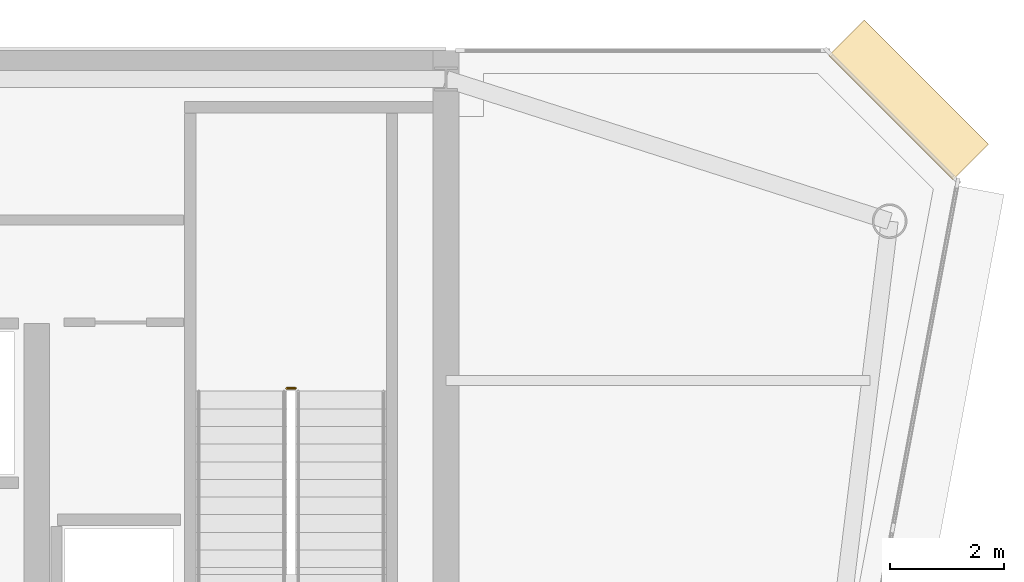
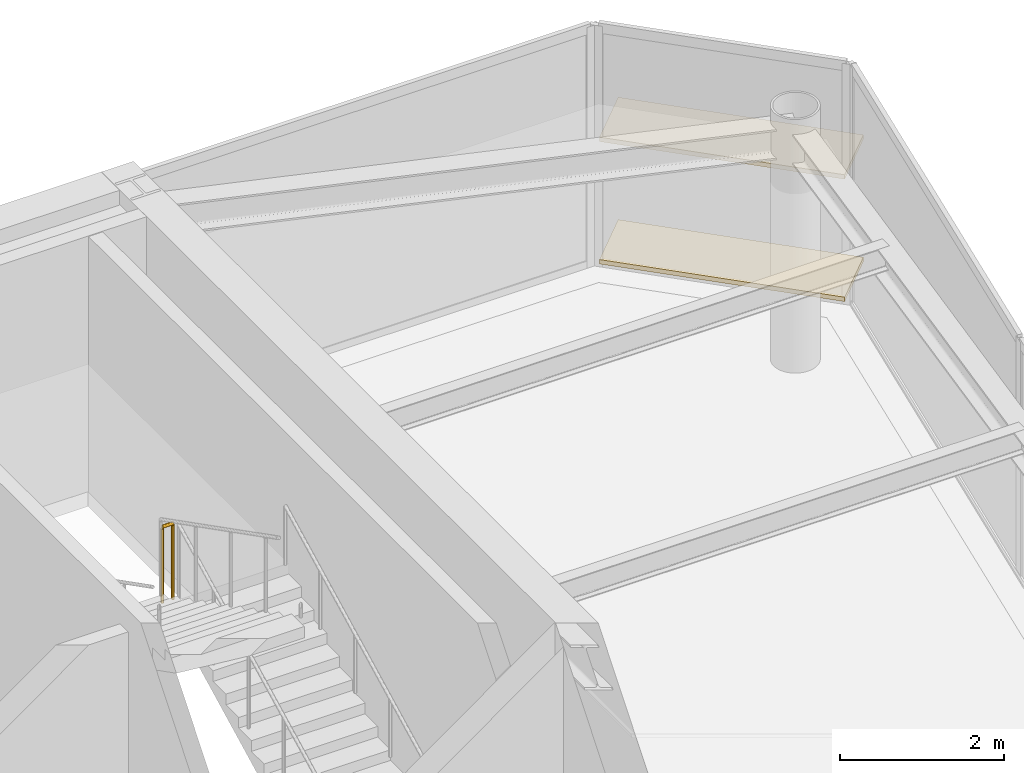
# One storey, part 20 of 20: 2 coverings, 1 railing.
"""IFC4 building model written with IfcOpenShell, lengths in metres."""

from ifc_helpers import new_model, si_unit, direction, frame, origin, origin_2d, place, context, subcontext, project, spatial, rectangle, circle, extrude, source, transform, mapped, material, layer, layer_set, type_object, element, save


model = new_model("IFC4")

# Units and contexts
model_context = context("Model", 3, precision=1e-05, world=origin(), true_north=direction((0.0, 1.0)))
body_context = subcontext(model_context, "Body", "Model", "MODEL_VIEW")
ifc_project = project(units=[si_unit("LENGTHUNIT", "METRE"), si_unit("AREAUNIT", "SQUARE_METRE"), si_unit("VOLUMEUNIT", "CUBIC_METRE"), si_unit("PLANEANGLEUNIT", "RADIAN"), si_unit("MASSUNIT", "GRAM", prefix="KILO")], contexts=[model_context])

# Site, building, storey
site_placement = place(None, origin())
site = spatial("IfcSite", under=ifc_project, at=site_placement, CompositionType="ELEMENT")
building_placement = place(site_placement, origin())
building = spatial("IfcBuilding", under=site, at=building_placement, Name="Vaeldorn Concourse Tower", CompositionType="ELEMENT")
storey_placement = place(building_placement, frame((0.0, 0.0, 284.0)))
storey = spatial("IfcBuildingStorey", under=building, at=storey_placement, Name="L73", CompositionType="ELEMENT", Elevation=284.0)

# Railing
ifc_material = material(Name="Anodised Bronze Aluminium", Category="aluminium")
railing_type = type_object("IfcRailingType", Name="RL-STAIR-GUARD", PredefinedType="GUARDRAIL", material=ifc_material)
railing_placement = place(storey_placement, frame((51.35009765625, 45.06005859375, 1.89990234375)))
element("IfcRailing", 1, at=railing_placement, inside=storey, type_object=railing_type, Name="L73 ST-2 stair guard 2", PredefinedType="GUARDRAIL", context=body_context, shape_type="SweptSolid", body=[
    extrude(circle(Radius=0.02392578125, at=origin_2d()), frame((0.0, 0.0, 1.1259765625), z_axis=(-1.0, 0.0, 0.0), x_axis=(0.0, -1.0, 0.0)), (0.0, 0.0, 1.0), 0.150146484375),
    extrude(circle(Radius=0.02099609375, at=origin_2d()), origin(), (0.0, 0.0, 1.0), 1.101806640625),
    extrude(circle(Radius=0.02099609375, at=origin_2d()), frame((-0.150146484375, 0.0, 0.0)), (0.0, 0.0, 1.0), 1.101806640625),
])

# Coverings
ifc_layer = layer(ifc_material, 0.06494140625)
ifc_layer_set = layer_set([ifc_layer], Name="Anodised Bronze Aluminium")
covering_type = type_object("IfcCoveringType", Name="SD-BRONZE-SUNSHADE", PredefinedType="USERDEFINED", material=ifc_layer_set)
shared_shape = source(origin(), body_context, "Body", "SweptSolid", [
    extrude(rectangle(XDim=3.0927734375, YDim=0.8798828125, at=origin_2d()), origin(), (0.0, 0.0, 1.0), 0.06494140625),
])
for number, where, z_axis, x_axis, name in (
    (2, (62.1328125, 50.1328125, 0.047607421875), (0.0, 0.0, 1.0), (-0.707106781187, 0.707106781187, 0.0), "Horizontal Bronze Sunshade L73-E08.1.1"),
    (3, (62.1328125, 50.1328125, 1.867431640625), (0.0, 0.0, 1.0), (-0.707106781187, 0.707106781187, 0.0), "Horizontal Bronze Sunshade L73-E08.1.2"),
):
    element("IfcCovering", number, at=place(storey_placement, frame(where, z_axis=z_axis, x_axis=x_axis)), inside=storey, type_object=covering_type, Name=name, ObjectType="SUNSHADE", PredefinedType="USERDEFINED", context=body_context, shape_type="MappedRepresentation", body=[
        mapped(shared_shape, transform((0.0, 0.0, 0.0), scale=1.0)),
    ])

save(model, "model.ifc")
